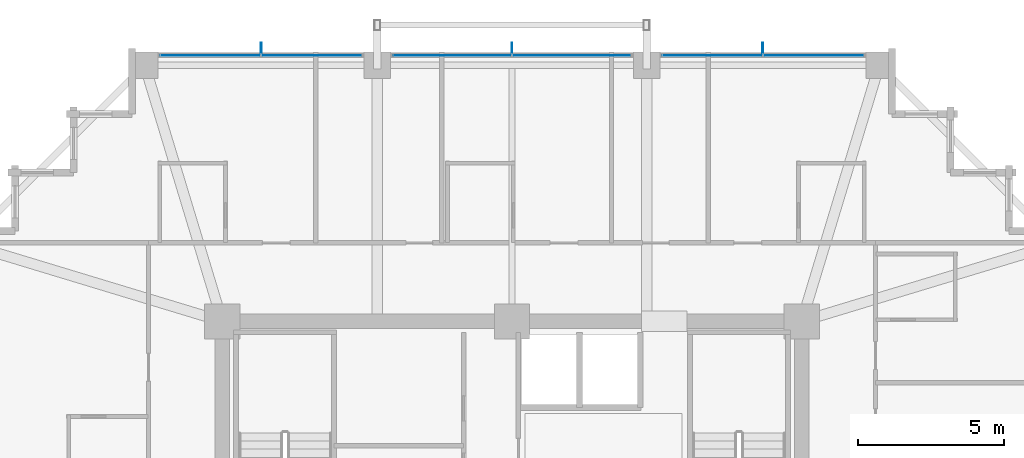
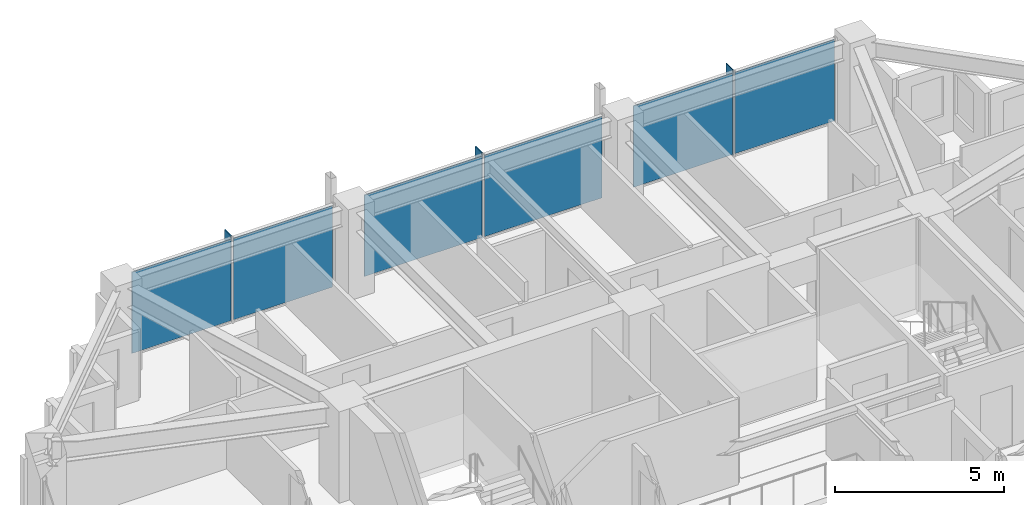
# One storey, part 29 of 37: 9 plates, 3 elements without a shape of their own.
"""IFC4 building model written with IfcOpenShell, lengths in metres."""

from ifc_helpers import new_model, si_unit, direction, frame, origin, origin_2d, place, context, subcontext, project, spatial, rectangle, extrude, material, layer, layer_set, type_object, element, aggregate, save


model = new_model("IFC4")

# Units and contexts
model_context = context("Model", 3, precision=1e-05, world=origin(), true_north=direction((0.0, 1.0)))
body_context = subcontext(model_context, "Body", "Model", "MODEL_VIEW")
ifc_project = project(units=[si_unit("LENGTHUNIT", "METRE"), si_unit("AREAUNIT", "SQUARE_METRE"), si_unit("VOLUMEUNIT", "CUBIC_METRE"), si_unit("PLANEANGLEUNIT", "RADIAN"), si_unit("MASSUNIT", "GRAM", prefix="KILO")], contexts=[model_context])

# Site, building, storey
site_placement = place(None, origin())
site = spatial("IfcSite", under=ifc_project, at=site_placement, CompositionType="ELEMENT")
building_placement = place(site_placement, origin())
building = spatial("IfcBuilding", under=site, at=building_placement, Name="Kolvaren Belvedere", CompositionType="ELEMENT")
storey_placement = place(building_placement, frame((0.0, 0.0, 156.89990234375)))
storey = spatial("IfcBuildingStorey", under=building, at=storey_placement, Name="L45", CompositionType="ELEMENT", Elevation=156.89990234375)

# Curtain wall, plates
ifc_material_1 = material(Name="Anodised pale-metal aluminium AA 6063-T6", Category="aluminium")
curtain_wall_type = type_object("IfcCurtainWallType", Name="CW-Z3-WAIST", PredefinedType="NOTDEFINED", material=ifc_material_1)
curtain_wall_1_placement = place(storey_placement, origin())
curtain_wall_1 = element("IfcCurtainWall", 1, at=curtain_wall_1_placement, inside=storey, type_object=curtain_wall_type, Name="L45 Unitised Curtain Wall FCW-L45-N-B1", PredefinedType="NOTDEFINED")
ifc_material_2 = material(Name="Low-iron triple insulated glass", Category="glass")
ifc_layer_1 = layer(ifc_material_2, 0.028076171875)
ifc_layer_set_1 = layer_set([ifc_layer_1], Name="Low-iron triple insulated glass")
plate_type_1 = type_object("IfcPlateType", Name="CW-PNL-VIS28", PredefinedType="CURTAIN_PANEL", material=ifc_layer_set_1)
plate_1_placement = place(storey_placement, frame((-10.311279296875, 18.97998046875, 0.080078125), z_axis=(0.0, 0.0, 1.0), x_axis=(1.0, 0.0, 0.0)))
plate_1 = element("IfcPlate", 2, at=plate_1_placement, type_object=plate_type_1, Name="FCW-L45-N-B1 Vision Glazing Panel 1", PredefinedType="CURTAIN_PANEL", context=body_context, shape_type="SweptSolid", body=[
    extrude(rectangle(XDim=3.392578125, YDim=0.028076171875, at=origin_2d()), origin(), (0.0, 0.0, 1.0), 2.93994140625),
])
plate_2_placement = place(storey_placement, frame((-6.8388671875, 18.97998046875, 0.080078125), z_axis=(0.0, 0.0, 1.0), x_axis=(1.0, 0.0, 0.0)))
plate_2 = element("IfcPlate", 3, at=plate_2_placement, type_object=plate_type_1, Name="FCW-L45-N-B1 Vision Glazing Panel 2", PredefinedType="CURTAIN_PANEL", context=body_context, shape_type="SweptSolid", body=[
    extrude(rectangle(XDim=3.392578125, YDim=0.028076171875, at=origin_2d()), origin(), (0.0, 0.0, 1.0), 2.93994140625),
])
aggregate(curtain_wall_1, [plate_1, plate_2])

curtain_wall_2_placement = place(storey_placement, origin())
curtain_wall_2 = element("IfcCurtainWall", 4, at=curtain_wall_2_placement, inside=storey, type_object=curtain_wall_type, Name="L45 Unitised Curtain Wall FCW-L45-N-B2", PredefinedType="NOTDEFINED")
plate_3_placement = place(storey_placement, frame((-2.048828125, 18.97998046875, 0.080078125), z_axis=(0.0, 0.0, 1.0), x_axis=(1.0, 0.0, 0.0)))
plate_3 = element("IfcPlate", 5, at=plate_3_placement, type_object=plate_type_1, Name="FCW-L45-N-B2 Vision Glazing Panel 1", PredefinedType="CURTAIN_PANEL", context=body_context, shape_type="SweptSolid", body=[
    extrude(rectangle(XDim=4.017578125, YDim=0.028076171875, at=origin_2d()), origin(), (0.0, 0.0, 1.0), 2.93994140625),
])
plate_4_placement = place(storey_placement, frame((2.048828125, 18.97998046875, 0.080078125), z_axis=(0.0, 0.0, 1.0), x_axis=(1.0, 0.0, 0.0)))
plate_4 = element("IfcPlate", 6, at=plate_4_placement, type_object=plate_type_1, Name="FCW-L45-N-B2 Vision Glazing Panel 2", PredefinedType="CURTAIN_PANEL", context=body_context, shape_type="SweptSolid", body=[
    extrude(rectangle(XDim=4.017578125, YDim=0.028076171875, at=origin_2d()), origin(), (0.0, 0.0, 1.0), 2.93994140625),
])
aggregate(curtain_wall_2, [plate_3, plate_4])

curtain_wall_3_placement = place(storey_placement, origin())
curtain_wall_3 = element("IfcCurtainWall", 7, at=curtain_wall_3_placement, inside=storey, type_object=curtain_wall_type, Name="L45 Unitised Curtain Wall FCW-L45-N-B3", PredefinedType="NOTDEFINED")
plate_5_placement = place(storey_placement, frame((6.8388671875, 18.97998046875, 0.080078125), z_axis=(0.0, 0.0, 1.0), x_axis=(1.0, 0.0, 0.0)))
plate_5 = element("IfcPlate", 8, at=plate_5_placement, type_object=plate_type_1, Name="FCW-L45-N-B3 Vision Glazing Panel 1", PredefinedType="CURTAIN_PANEL", context=body_context, shape_type="SweptSolid", body=[
    extrude(rectangle(XDim=3.392578125, YDim=0.028076171875, at=origin_2d()), origin(), (0.0, 0.0, 1.0), 2.93994140625),
])
plate_6_placement = place(storey_placement, frame((10.311279296875, 18.97998046875, 0.080078125), z_axis=(0.0, 0.0, 1.0), x_axis=(1.0, 0.0, 0.0)))
plate_6 = element("IfcPlate", 9, at=plate_6_placement, type_object=plate_type_1, Name="FCW-L45-N-B3 Vision Glazing Panel 2", PredefinedType="CURTAIN_PANEL", context=body_context, shape_type="SweptSolid", body=[
    extrude(rectangle(XDim=3.392578125, YDim=0.028076171875, at=origin_2d()), origin(), (0.0, 0.0, 1.0), 2.93994140625),
])
aggregate(curtain_wall_3, [plate_5, plate_6])

# Plates
ifc_material_3 = material(Name="Anodised pale-metal aluminium AA 6063-T6", Category="aluminium")
ifc_layer_2 = layer(ifc_material_3, 0.033935546875)
ifc_layer_set_2 = layer_set([ifc_layer_2], Name="Anodised pale-metal aluminium AA 6063-T6")
plate_type_2 = type_object("IfcPlateType", Name="FIN-VERT-380", PredefinedType="USERDEFINED", material=ifc_layer_set_2)
for number, where, z_axis, x_axis, name in (
    (10, (-8.574951171875, 19.219970703125, 0.0), (0.0, 0.0, 1.0), (0.0, 1.0, 0.0), "L45 Pale-Metal Vertical Shading Fin FCW-L45-N-B1-1"),
    (11, (0.0, 19.219970703125, 0.0), (0.0, 0.0, 1.0), (0.0, 1.0, 0.0), "L45 Pale-Metal Vertical Shading Fin FCW-L45-N-B2-1"),
    (12, (8.574951171875, 19.219970703125, 0.0), (0.0, 0.0, 1.0), (0.0, 1.0, 0.0), "L45 Pale-Metal Vertical Shading Fin FCW-L45-N-B3-1"),
):
    element("IfcPlate", number, at=place(storey_placement, frame(where, z_axis=z_axis, x_axis=x_axis)), inside=storey, type_object=plate_type_2, Name=name, ObjectType="VERTICAL FIN", PredefinedType="USERDEFINED", context=body_context, shape_type="SweptSolid", body=[
        extrude(rectangle(XDim=0.3798828125, YDim=0.033935546875, at=origin_2d()), origin(), (0.0, 0.0, 1.0), 3.10009765625),
    ])

save(model, "model.ifc")
